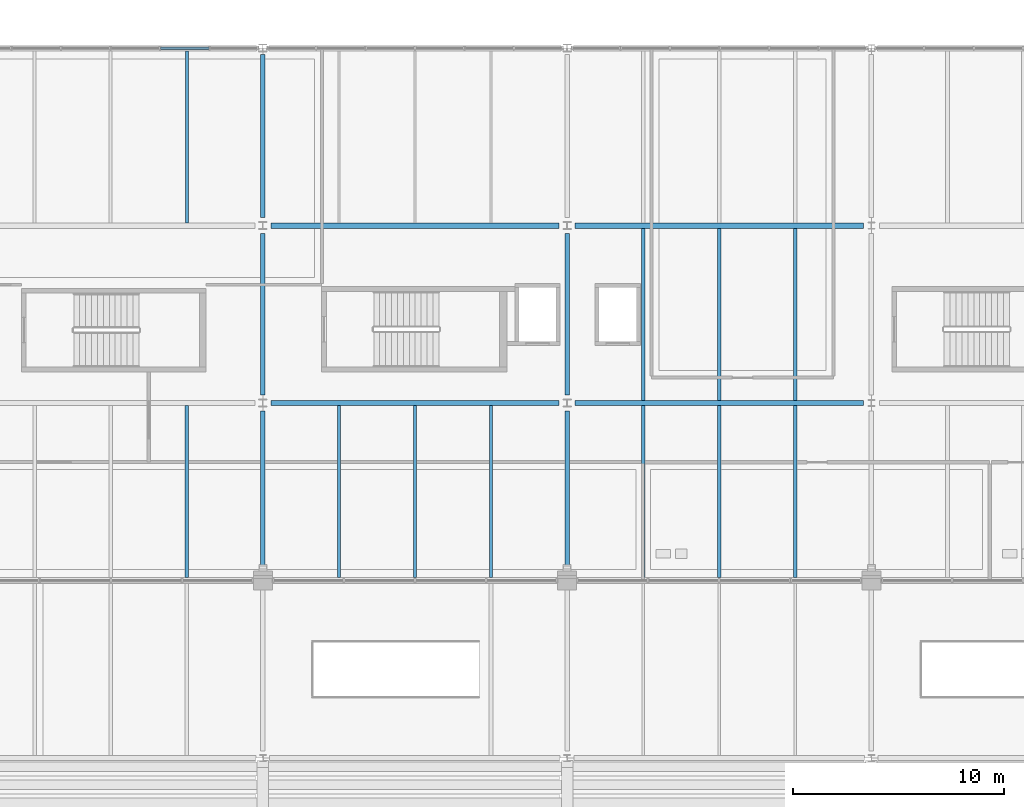
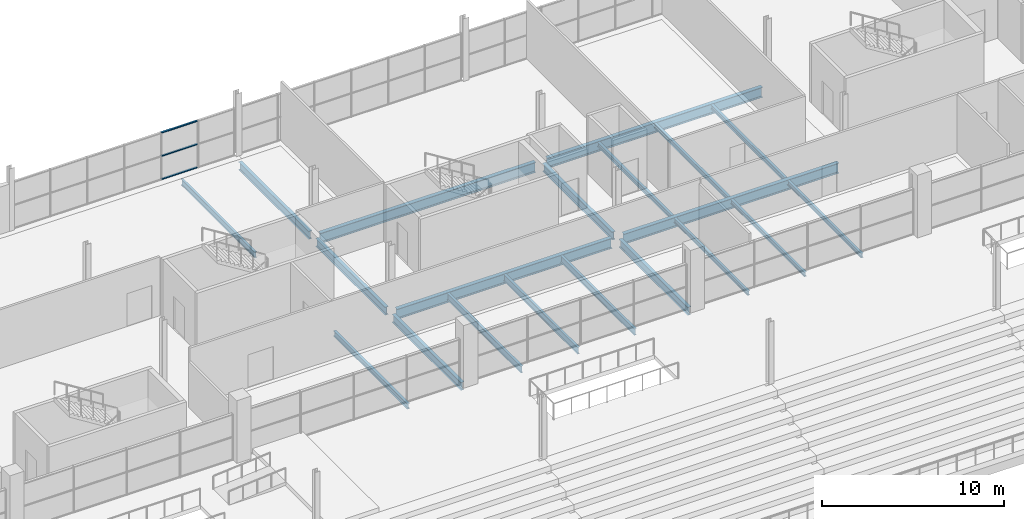
# One storey, part 75 of 161: 20 beams, 3 members, 1 element without a shape of its own.
"""IFC4 building model written with IfcOpenShell, lengths in metres."""

from ifc_helpers import new_model, si_unit, direction, frame, origin, origin_2d, place, context, subcontext, project, spatial, hollow_rectangle, i_section, extrude, material, material_profile, profile_set, type_object, element, aggregate, save


model = new_model("IFC4")

# Units and contexts
model_context = context("Model", 3, precision=1e-05, world=origin(), true_north=direction((0.0, 1.0)))
body_context = subcontext(model_context, "Body", "Model", "MODEL_VIEW")
ifc_project = project(units=[si_unit("LENGTHUNIT", "METRE"), si_unit("AREAUNIT", "SQUARE_METRE"), si_unit("VOLUMEUNIT", "CUBIC_METRE"), si_unit("PLANEANGLEUNIT", "RADIAN"), si_unit("MASSUNIT", "GRAM", prefix="KILO"), si_unit("THERMODYNAMICTEMPERATUREUNIT", "KELVIN")], contexts=[model_context])

# Site, building, storey
site_placement = place(None, origin())
site = spatial("IfcSite", under=ifc_project, at=site_placement, CompositionType="ELEMENT")
building_placement = place(site_placement, origin())
building = spatial("IfcBuilding", under=site, at=building_placement, Name="Nduvali Passage Aquatics Centre", CompositionType="ELEMENT")
storey_placement = place(building_placement, frame((0.0, 0.0, 4.800048828125)))
storey = spatial("IfcBuildingStorey", under=building, at=storey_placement, Name="L01", CompositionType="ELEMENT", Elevation=4.800048828125)

# Curtain wall, members
ifc_material_1 = material(Name="Aluminium EN AW-6063 T6", Category="aluminium")
curtain_wall_type = type_object("IfcCurtainWallType", Name="ENV-CW-WELL", PredefinedType="NOTDEFINED", material=ifc_material_1)
curtain_wall_placement = place(storey_placement, origin())
curtain_wall = element("IfcCurtainWall", 1, at=curtain_wall_placement, inside=storey, type_object=curtain_wall_type, Name="L01 North Avenue Fitness CW 100", PredefinedType="NOTDEFINED")
ifc_material_profile_1 = material_profile(ifc_material_1, hollow_rectangle(XDim=0.1201171875, YDim=0.06005859375, WallThickness=0.00390625, at=origin_2d()), Name="ALU TRANSOM 120x60x4")
ifc_profile_set_1 = profile_set([ifc_material_profile_1], Name="Aluminium EN AW-6063 T6")
member_type = type_object("IfcMemberType", Name="ENV-MEM-TRN60", PredefinedType="USERDEFINED", material=ifc_profile_set_1)
member_1_placement = place(storey_placement, frame((63.55810546875, 117.60009765625, 0.030029296875), z_axis=(1.0, 0.0, 0.0), x_axis=(0.0, 1.0, 0.0)))
member_1 = element("IfcMember", 2, at=member_1_placement, type_object=member_type, Name="North Avenue Fitness CW Transom B5-R0", ObjectType="TRANSOM", PredefinedType="USERDEFINED", context=body_context, shape_type="SweptSolid", body=[
    extrude(hollow_rectangle(XDim=0.1201171875, YDim=0.06005859375, WallThickness=0.00390625, at=origin_2d()), origin(), (0.0, 0.0, 1.0), 2.283203125),
])
member_2_placement = place(storey_placement, frame((63.55810546875, 117.60009765625, 1.5869140625), z_axis=(1.0, 0.0, 0.0), x_axis=(0.0, 1.0, 0.0)))
member_2 = element("IfcMember", 3, at=member_2_placement, type_object=member_type, Name="North Avenue Fitness CW Transom B5-R1", ObjectType="TRANSOM", PredefinedType="USERDEFINED", context=body_context, shape_type="SweptSolid", body=[
    extrude(hollow_rectangle(XDim=0.1201171875, YDim=0.06005859375, WallThickness=0.00390625, at=origin_2d()), origin(), (0.0, 0.0, 1.0), 2.283203125),
])
member_3_placement = place(storey_placement, frame((63.55810546875, 117.60009765625, 3.143798828125), z_axis=(1.0, 0.0, 0.0), x_axis=(0.0, 1.0, 0.0)))
member_3 = element("IfcMember", 4, at=member_3_placement, type_object=member_type, Name="North Avenue Fitness CW Transom B5-R2", ObjectType="TRANSOM", PredefinedType="USERDEFINED", context=body_context, shape_type="SweptSolid", body=[
    extrude(hollow_rectangle(XDim=0.1201171875, YDim=0.06005859375, WallThickness=0.00390625, at=origin_2d()), origin(), (0.0, 0.0, 1.0), 2.283203125),
])
aggregate(curtain_wall, [member_1, member_2, member_3])

# Beams
ifc_material_2 = material(Name="Steel S355", Category="steel")
ifc_material_profile_2 = material_profile(ifc_material_2, i_section(OverallWidth=0.210693359375, OverallDepth=0.53955078125, WebThickness=0.01171875, FlangeThickness=0.018798828125, FilletRadius=0.0126953125, at=origin_2d()), Name="UKB 533x210x109")
ifc_profile_set_2 = profile_set([ifc_material_profile_2], Name="Steel S355")
beam_type_1 = type_object("IfcBeamType", Name="STR-BM-UKB533", PredefinedType="BEAM", material=ifc_profile_set_2)
beam_1_placement = place(storey_placement, frame((68.39990234375, 92.85009765625, -0.553955078125), z_axis=(0.0, 1.0, 0.0), x_axis=(-1.0, 0.0, 0.0)))
element("IfcBeam", 5, at=beam_1_placement, inside=storey, type_object=beam_type_1, Name="L01 Primary Y-Girder B6-0597", PredefinedType="BEAM", context=body_context, shape_type="SweptSolid", body=[
    extrude(i_section(OverallWidth=0.210693359375, OverallDepth=0.53955078125, WebThickness=0.01171875, FlangeThickness=0.018798828125, FilletRadius=0.0126953125, at=origin_2d()), origin(), (0.0, 0.0, 1.0), 7.574951171875),
])
beam_2_placement = place(storey_placement, frame((68.39990234375, 101.175048828125, -0.553955078125), z_axis=(0.0, 1.0, 0.0), x_axis=(-1.0, 0.0, 0.0)))
element("IfcBeam", 6, at=beam_2_placement, inside=storey, type_object=beam_type_1, Name="L01 Primary Y-Girder B6-0598", PredefinedType="BEAM", context=body_context, shape_type="SweptSolid", body=[
    extrude(i_section(OverallWidth=0.210693359375, OverallDepth=0.53955078125, WebThickness=0.01171875, FlangeThickness=0.018798828125, FilletRadius=0.0126953125, at=origin_2d()), origin(), (0.0, 0.0, 1.0), 7.64990234375),
])
beam_3_placement = place(storey_placement, frame((68.39990234375, 109.574951171875, -0.553955078125), z_axis=(0.0, 1.0, 0.0), x_axis=(-1.0, 0.0, 0.0)))
element("IfcBeam", 7, at=beam_3_placement, inside=storey, type_object=beam_type_1, Name="L01 Primary Y-Girder B6-0599", PredefinedType="BEAM", context=body_context, shape_type="SweptSolid", body=[
    extrude(i_section(OverallWidth=0.210693359375, OverallDepth=0.53955078125, WebThickness=0.01171875, FlangeThickness=0.018798828125, FilletRadius=0.0126953125, at=origin_2d()), origin(), (0.0, 0.0, 1.0), 7.72509765625),
])
beam_4_placement = place(storey_placement, frame((82.800048828125, 92.85009765625, -0.553955078125), z_axis=(0.0, 1.0, 0.0), x_axis=(-1.0, 0.0, 0.0)))
element("IfcBeam", 8, at=beam_4_placement, inside=storey, type_object=beam_type_1, Name="L01 Primary Y-Girder B6-0603", PredefinedType="BEAM", context=body_context, shape_type="SweptSolid", body=[
    extrude(i_section(OverallWidth=0.210693359375, OverallDepth=0.53955078125, WebThickness=0.01171875, FlangeThickness=0.018798828125, FilletRadius=0.0126953125, at=origin_2d()), origin(), (0.0, 0.0, 1.0), 7.574951171875),
])
beam_5_placement = place(storey_placement, frame((82.800048828125, 101.175048828125, -0.553955078125), z_axis=(0.0, 1.0, 0.0), x_axis=(-1.0, 0.0, 0.0)))
element("IfcBeam", 9, at=beam_5_placement, inside=storey, type_object=beam_type_1, Name="L01 Primary Y-Girder B6-0604", PredefinedType="BEAM", context=body_context, shape_type="SweptSolid", body=[
    extrude(i_section(OverallWidth=0.210693359375, OverallDepth=0.53955078125, WebThickness=0.01171875, FlangeThickness=0.018798828125, FilletRadius=0.0126953125, at=origin_2d()), origin(), (0.0, 0.0, 1.0), 7.64990234375),
])
ifc_material_profile_3 = material_profile(ifc_material_2, i_section(OverallWidth=0.253662109375, OverallDepth=0.68359375, WebThickness=0.012451171875, FlangeThickness=0.01904296875, FilletRadius=0.01513671875, at=origin_2d()), Name="UKB 686x254x140")
ifc_profile_set_3 = profile_set([ifc_material_profile_3], Name="Steel S355")
beam_type_2 = type_object("IfcBeamType", Name="STR-BM-UKB686", PredefinedType="BEAM", material=ifc_profile_set_3)
beam_6_placement = place(storey_placement, frame((68.77490234375, 100.800048828125, -0.625732421875), z_axis=(1.0, 0.0, 0.0), x_axis=(0.0, 1.0, 0.0)))
element("IfcBeam", 10, at=beam_6_placement, inside=storey, type_object=beam_type_2, Name="L01 Primary X-Girder B4-0539", PredefinedType="BEAM", context=body_context, shape_type="SweptSolid", body=[
    extrude(i_section(OverallWidth=0.253662109375, OverallDepth=0.68359375, WebThickness=0.012451171875, FlangeThickness=0.01904296875, FilletRadius=0.01513671875, at=origin_2d()), origin(), (0.0, 0.0, 1.0), 13.650146484375),
])
beam_7_placement = place(storey_placement, frame((83.175048828125, 100.800048828125, -0.625732421875), z_axis=(1.0, 0.0, 0.0), x_axis=(0.0, 1.0, 0.0)))
element("IfcBeam", 11, at=beam_7_placement, inside=storey, type_object=beam_type_2, Name="L01 Primary X-Girder B4-0540", PredefinedType="BEAM", context=body_context, shape_type="SweptSolid", body=[
    extrude(i_section(OverallWidth=0.253662109375, OverallDepth=0.68359375, WebThickness=0.012451171875, FlangeThickness=0.01904296875, FilletRadius=0.01513671875, at=origin_2d()), origin(), (0.0, 0.0, 1.0), 13.64990234375),
])
beam_8_placement = place(storey_placement, frame((68.77490234375, 109.199951171875, -0.625732421875), z_axis=(1.0, 0.0, 0.0), x_axis=(0.0, 1.0, 0.0)))
element("IfcBeam", 12, at=beam_8_placement, inside=storey, type_object=beam_type_2, Name="L01 Primary X-Girder B4-0546", PredefinedType="BEAM", context=body_context, shape_type="SweptSolid", body=[
    extrude(i_section(OverallWidth=0.253662109375, OverallDepth=0.68359375, WebThickness=0.012451171875, FlangeThickness=0.01904296875, FilletRadius=0.01513671875, at=origin_2d()), origin(), (0.0, 0.0, 1.0), 13.650146484375),
])
beam_9_placement = place(storey_placement, frame((83.175048828125, 109.199951171875, -0.625732421875), z_axis=(1.0, 0.0, 0.0), x_axis=(0.0, 1.0, 0.0)))
element("IfcBeam", 13, at=beam_9_placement, inside=storey, type_object=beam_type_2, Name="L01 Primary X-Girder B4-0547", PredefinedType="BEAM", context=body_context, shape_type="SweptSolid", body=[
    extrude(i_section(OverallWidth=0.253662109375, OverallDepth=0.68359375, WebThickness=0.012451171875, FlangeThickness=0.01904296875, FilletRadius=0.01513671875, at=origin_2d()), origin(), (0.0, 0.0, 1.0), 13.64990234375),
])
ifc_material_profile_4 = material_profile(ifc_material_2, i_section(OverallWidth=0.14990234375, OverallDepth=0.300048828125, WebThickness=0.007080078125, FlangeThickness=0.0107421875, FilletRadius=0.014892578125, at=origin_2d()), Name="IPE 300")
ifc_profile_set_4 = profile_set([ifc_material_profile_4], Name="Steel S355")
beam_type_3 = type_object("IfcBeamType", Name="STR-JST-IPE300", PredefinedType="JOIST", material=ifc_profile_set_4)
for number, where, z_axis, x_axis, name in (
    (14, (86.39990234375, 92.552001953125, -0.43408203125), (0.0, 1.0, 0.0), (-1.0, 0.0, 0.0), "L01 Secondary Joist J7-0823"),
    (15, (90.0, 92.552001953125, -0.43408203125), (0.0, 1.0, 0.0), (-1.0, 0.0, 0.0), "L01 Secondary Joist J7-0824"),
    (16, (93.60009765625, 92.552001953125, -0.43408203125), (0.0, 1.0, 0.0), (-1.0, 0.0, 0.0), "L01 Secondary Joist J7-0825"),
):
    element("IfcBeam", number, at=place(storey_placement, frame(where, z_axis=z_axis, x_axis=x_axis)), inside=storey, type_object=beam_type_3, Name=name, PredefinedType="JOIST", context=body_context, shape_type="SweptSolid", body=[
        extrude(i_section(OverallWidth=0.14990234375, OverallDepth=0.300048828125, WebThickness=0.007080078125, FlangeThickness=0.0107421875, FilletRadius=0.014892578125, at=origin_2d()), origin(), (0.0, 0.0, 1.0), 8.12109375),
    ])
ifc_material_profile_5 = material_profile(ifc_material_2, i_section(OverallWidth=0.165771484375, OverallDepth=0.306640625, WebThickness=0.006591796875, FlangeThickness=0.01171875, FilletRadius=0.0087890625, at=origin_2d()), Name="UKB 305x165x46")
ifc_profile_set_5 = profile_set([ifc_material_profile_5], Name="Steel S355")
beam_type_4 = type_object("IfcBeamType", Name="STR-JST-UKB305", PredefinedType="JOIST", material=ifc_profile_set_5)
for number, where, z_axis, x_axis, name in (
    (17, (86.39990234375, 100.9267578125, -0.437255859375), (0.0, 1.0, 0.0), (-1.0, 0.0, 0.0), "L01 Secondary Joist J3-0836"),
    (18, (90.0, 100.9267578125, -0.437255859375), (0.0, 1.0, 0.0), (-1.0, 0.0, 0.0), "L01 Secondary Joist J3-0837"),
    (19, (93.60009765625, 100.9267578125, -0.437255859375), (0.0, 1.0, 0.0), (-1.0, 0.0, 0.0), "L01 Secondary Joist J3-0838"),
):
    element("IfcBeam", number, at=place(storey_placement, frame(where, z_axis=z_axis, x_axis=x_axis)), inside=storey, type_object=beam_type_4, Name=name, PredefinedType="JOIST", context=body_context, shape_type="SweptSolid", body=[
        extrude(i_section(OverallWidth=0.165771484375, OverallDepth=0.306640625, WebThickness=0.006591796875, FlangeThickness=0.01171875, FilletRadius=0.0087890625, at=origin_2d()), origin(), (0.0, 0.0, 1.0), 8.146484375),
    ])
ifc_material_profile_6 = material_profile(ifc_material_2, i_section(OverallWidth=0.172119140625, OverallDepth=0.35791015625, WebThickness=0.008056640625, FlangeThickness=0.012939453125, FilletRadius=0.01025390625, at=origin_2d()), Name="UKB 356x171x57")
ifc_profile_set_6 = profile_set([ifc_material_profile_6], Name="Steel S355")
beam_type_5 = type_object("IfcBeamType", Name="STR-JST-UKB356", PredefinedType="JOIST", material=ifc_profile_set_6)
beam_10_placement = place(storey_placement, frame((64.800048828125, 92.552001953125, -0.463134765625), z_axis=(0.0, 1.0, 0.0), x_axis=(-1.0, 0.0, 0.0)))
element("IfcBeam", 20, at=beam_10_placement, inside=storey, type_object=beam_type_5, Name="L01 Secondary Joist J2-0819", PredefinedType="JOIST", context=body_context, shape_type="SweptSolid", body=[
    extrude(i_section(OverallWidth=0.172119140625, OverallDepth=0.35791015625, WebThickness=0.008056640625, FlangeThickness=0.012939453125, FilletRadius=0.01025390625, at=origin_2d()), origin(), (0.0, 0.0, 1.0), 8.12109375),
])
ifc_material_profile_7 = material_profile(ifc_material_2, i_section(OverallWidth=0.14208984375, OverallDepth=0.4033203125, WebThickness=0.0068359375, FlangeThickness=0.01123046875, FilletRadius=0.01025390625, at=origin_2d()), Name="UKB 406x140x46")
ifc_profile_set_7 = profile_set([ifc_material_profile_7], Name="Steel S355")
beam_type_6 = type_object("IfcBeamType", Name="STR-JST-UKB406L", PredefinedType="JOIST", material=ifc_profile_set_7)
beam_11_placement = place(storey_placement, frame((64.800048828125, 109.326904296875, -0.485595703125), z_axis=(0.0, 1.0, 0.0), x_axis=(-1.0, 0.0, 0.0)))
element("IfcBeam", 21, at=beam_11_placement, inside=storey, type_object=beam_type_6, Name="L01 Secondary Joist J1B-0846", PredefinedType="JOIST", context=body_context, shape_type="SweptSolid", body=[
    extrude(i_section(OverallWidth=0.14208984375, OverallDepth=0.4033203125, WebThickness=0.0068359375, FlangeThickness=0.01123046875, FilletRadius=0.01025390625, at=origin_2d()), origin(), (0.0, 0.0, 1.0), 8.139892578125),
])
ifc_material_profile_8 = material_profile(ifc_material_2, i_section(OverallWidth=0.15283203125, OverallDepth=0.45458984375, WebThickness=0.008056640625, FlangeThickness=0.01318359375, FilletRadius=0.01025390625, at=origin_2d()), Name="UKB 457x152x60")
ifc_profile_set_8 = profile_set([ifc_material_profile_8], Name="Steel S355")
beam_type_7 = type_object("IfcBeamType", Name="STR-JST-UKB457L", PredefinedType="JOIST", material=ifc_profile_set_8)
for number, where, z_axis, x_axis, name in (
    (22, (72.0, 92.552001953125, -0.51123046875), (0.0, 1.0, 0.0), (-1.0, 0.0, 0.0), "L01 Secondary Joist J1A-0820"),
    (23, (75.60009765625, 92.552001953125, -0.51123046875), (0.0, 1.0, 0.0), (-1.0, 0.0, 0.0), "L01 Secondary Joist J1A-0821"),
    (24, (79.199951171875, 92.552001953125, -0.51123046875), (0.0, 1.0, 0.0), (-1.0, 0.0, 0.0), "L01 Secondary Joist J1A-0822"),
):
    element("IfcBeam", number, at=place(storey_placement, frame(where, z_axis=z_axis, x_axis=x_axis)), inside=storey, type_object=beam_type_7, Name=name, PredefinedType="JOIST", context=body_context, shape_type="SweptSolid", body=[
        extrude(i_section(OverallWidth=0.15283203125, OverallDepth=0.45458984375, WebThickness=0.008056640625, FlangeThickness=0.01318359375, FilletRadius=0.01025390625, at=origin_2d()), origin(), (0.0, 0.0, 1.0), 8.12109375),
    ])

save(model, "model.ifc")
